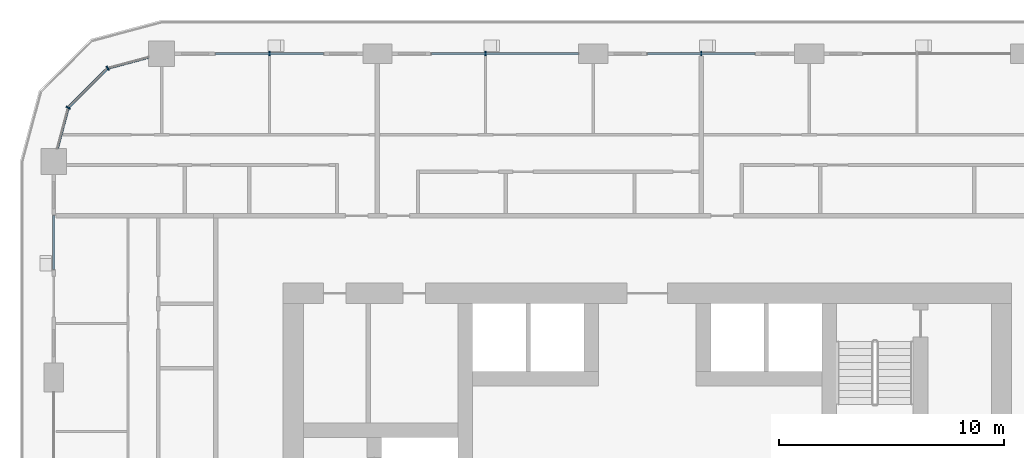
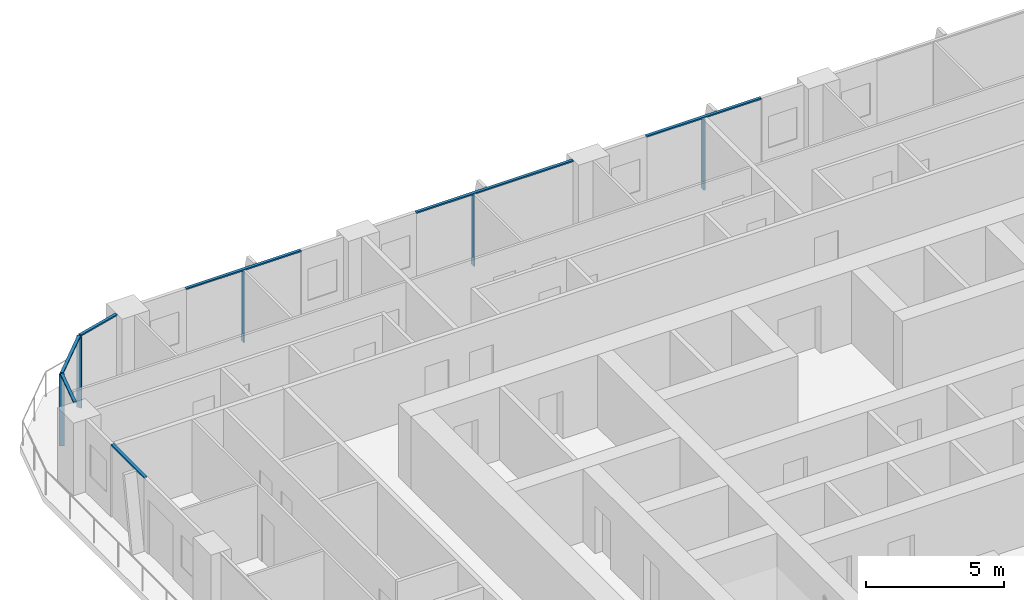
# One storey, part 5 of 22: 12 members, 5 elements without a shape of their own.
"""IFC4 building model written with IfcOpenShell, lengths in metres."""

from ifc_helpers import new_model, si_unit, direction, frame, origin, origin_2d, place, context, subcontext, project, spatial, rectangle, extrude, material, layer, layer_set, material_profile, profile_set, type_object, element, aggregate, save


model = new_model("IFC4")

# Units and contexts
model_context = context("Model", 3, precision=1e-05, world=origin(), true_north=direction((0.0, 1.0)))
body_context = subcontext(model_context, "Body", "Model", "MODEL_VIEW")
ifc_project = project(units=[si_unit("LENGTHUNIT", "METRE"), si_unit("AREAUNIT", "SQUARE_METRE"), si_unit("VOLUMEUNIT", "CUBIC_METRE"), si_unit("PLANEANGLEUNIT", "RADIAN"), si_unit("MASSUNIT", "GRAM", prefix="KILO")], contexts=[model_context])

# Site, building, storey
site_placement = place(None, origin())
site = spatial("IfcSite", under=ifc_project, at=site_placement, CompositionType="ELEMENT")
building_placement = place(site_placement, origin())
building = spatial("IfcBuilding", under=site, at=building_placement, Name="Madar Terraces", CompositionType="ELEMENT")
storey_placement = place(building_placement, frame((0.0, 0.0, 76.800048828125)))
storey = spatial("IfcBuildingStorey", under=building, at=storey_placement, Name="L19", CompositionType="ELEMENT", Elevation=76.800048828125)

# Curtain wall, member
ifc_material_1 = material(Name="Glass, ceramic frit dark grey, with black aluminium frame", Category="aluminium")
ifc_layer = layer(ifc_material_1, 0.199951171875)
ifc_layer_set = layer_set([ifc_layer], Name="Facade curtain wall, fritted glass")
curtain_wall_type = type_object("IfcCurtainWallType", Name="Facade curtain wall, fritted glass", PredefinedType="NOTDEFINED", material=ifc_layer_set)
curtain_wall_1_placement = place(storey_placement, origin())
curtain_wall_1 = element("IfcCurtainWall", 1, at=curtain_wall_1_placement, inside=storey, type_object=curtain_wall_type, Name="Outer skin curtain wall north bay 3", PredefinedType="NOTDEFINED")
ifc_material_2 = material(Name="Aluminium, black anodised", Category="aluminium")
ifc_material_profile_1 = material_profile(ifc_material_2, rectangle(XDim=0.199951171875, YDim=0.06005859375, at=origin_2d()), Name="Facade mullion 60x200")
ifc_profile_set_1 = profile_set([ifc_material_profile_1], Name="Aluminium, black anodised")
member_type_1 = type_object("IfcMemberType", Name="Facade mullion 60x200", PredefinedType="MULLION", material=ifc_profile_set_1)
member_1_placement = place(storey_placement, frame((33.60009765625, 48.0, 0.0), z_axis=(0.0, 0.0, 1.0), x_axis=(0.0, -1.0, 0.0)))
member_1 = element("IfcMember", 2, at=member_1_placement, type_object=member_type_1, Name="Mullion 1", PredefinedType="MULLION", context=body_context, shape_type="SweptSolid", body=[
    extrude(rectangle(XDim=0.199951171875, YDim=0.06005859375, at=origin_2d()), origin(), (0.0, 0.0, 1.0), 3.139892578125),
])

curtain_wall_2_placement = place(storey_placement, origin())
curtain_wall_2 = element("IfcCurtainWall", 3, at=curtain_wall_2_placement, inside=storey, type_object=curtain_wall_type, Name="Outer skin curtain wall north bay 4", PredefinedType="NOTDEFINED")
member_2_placement = place(storey_placement, frame((24.0, 48.0, 0.0), z_axis=(0.0, 0.0, 1.0), x_axis=(0.0, -1.0, 0.0)))
member_2 = element("IfcMember", 4, at=member_2_placement, type_object=member_type_1, Name="Mullion 1", PredefinedType="MULLION", context=body_context, shape_type="SweptSolid", body=[
    extrude(rectangle(XDim=0.199951171875, YDim=0.06005859375, at=origin_2d()), origin(), (0.0, 0.0, 1.0), 3.139892578125),
])

curtain_wall_3_placement = place(storey_placement, origin())
curtain_wall_3 = element("IfcCurtainWall", 5, at=curtain_wall_3_placement, inside=storey, type_object=curtain_wall_type, Name="Outer skin curtain wall north bay 5", PredefinedType="NOTDEFINED")
member_3_placement = place(storey_placement, frame((14.39990234375, 48.0, 0.0), z_axis=(0.0, 0.0, 1.0), x_axis=(0.0, -1.0, 0.0)))
member_3 = element("IfcMember", 6, at=member_3_placement, type_object=member_type_1, Name="Mullion 1", PredefinedType="MULLION", context=body_context, shape_type="SweptSolid", body=[
    extrude(rectangle(XDim=0.199951171875, YDim=0.06005859375, at=origin_2d()), origin(), (0.0, 0.0, 1.0), 3.139892578125),
])

# Curtain wall, members
curtain_wall_4_placement = place(storey_placement, origin())
curtain_wall_4 = element("IfcCurtainWall", 7, at=curtain_wall_4_placement, inside=storey, type_object=curtain_wall_type, Name="Outer skin curtain wall north-west corner", PredefinedType="NOTDEFINED")
member_4_placement = place(storey_placement, frame((7.199951171875, 47.35693359375, 0.0), z_axis=(0.0, 0.0, 1.0), x_axis=(0.499999989586, -0.866025409797, 0.0)))
member_4 = element("IfcMember", 8, at=member_4_placement, type_object=member_type_1, Name="Mullion 1", PredefinedType="MULLION", context=body_context, shape_type="SweptSolid", body=[
    extrude(rectangle(XDim=0.199951171875, YDim=0.06005859375, at=origin_2d()), origin(), (0.0, 0.0, 1.0), 3.139892578125),
])
member_5_placement = place(storey_placement, frame((5.443115234375, 45.60009765625, 0.0), z_axis=(0.0, 0.0, 1.0), x_axis=(0.866025409797, -0.499999989586, 0.0)))
member_5 = element("IfcMember", 9, at=member_5_placement, type_object=member_type_1, Name="Mullion 2", PredefinedType="MULLION", context=body_context, shape_type="SweptSolid", body=[
    extrude(rectangle(XDim=0.199951171875, YDim=0.06005859375, at=origin_2d()), origin(), (0.0, 0.0, 1.0), 3.139892578125),
])

# Member
ifc_material_3 = material(Name="Aluminium, black anodised", Category="aluminium")
ifc_material_profile_2 = material_profile(ifc_material_3, rectangle(XDim=0.1201171875, YDim=0.06005859375, at=origin_2d()), Name="Facade transom 60x120")
ifc_profile_set_2 = profile_set([ifc_material_profile_2], Name="Aluminium, black anodised")
member_type_2 = type_object("IfcMemberType", Name="Facade transom 60x120", PredefinedType="USERDEFINED", material=ifc_profile_set_2)
member_6_placement = place(storey_placement, frame((36.0, 48.0, 3.169921875), z_axis=(-1.0, 0.0, 0.0), x_axis=(0.0, -1.0, 0.0)))
member_6 = element("IfcMember", 10, at=member_6_placement, type_object=member_type_2, Name="Transom 1", ObjectType="TRANSOM", PredefinedType="USERDEFINED", context=body_context, shape_type="SweptSolid", body=[
    extrude(rectangle(XDim=0.1201171875, YDim=0.06005859375, at=origin_2d()), origin(), (0.0, 0.0, 1.0), 4.800048828125),
])

aggregate(curtain_wall_1, [member_1, member_6])

member_7_placement = place(storey_placement, frame((28.14990234375, 48.0, 3.169921875), z_axis=(-1.0, 0.0, 0.0), x_axis=(0.0, -1.0, 0.0)))
member_7 = element("IfcMember", 11, at=member_7_placement, type_object=member_type_2, Name="Transom 1", ObjectType="TRANSOM", PredefinedType="USERDEFINED", context=body_context, shape_type="SweptSolid", body=[
    extrude(rectangle(XDim=0.1201171875, YDim=0.06005859375, at=origin_2d()), origin(), (0.0, 0.0, 1.0), 6.5498046875),
])

aggregate(curtain_wall_2, [member_2, member_7])

member_8_placement = place(storey_placement, frame((16.800048828125, 48.0, 3.169921875), z_axis=(-1.0, 0.0, 0.0), x_axis=(0.0, -1.0, 0.0)))
member_8 = element("IfcMember", 12, at=member_8_placement, type_object=member_type_2, Name="Transom 1", ObjectType="TRANSOM", PredefinedType="USERDEFINED", context=body_context, shape_type="SweptSolid", body=[
    extrude(rectangle(XDim=0.1201171875, YDim=0.06005859375, at=origin_2d()), origin(), (0.0, 0.0, 1.0), 4.800048828125),
])

aggregate(curtain_wall_3, [member_3, member_8])

# Curtain wall, member
curtain_wall_5_placement = place(storey_placement, origin())
curtain_wall_5 = element("IfcCurtainWall", 13, at=curtain_wall_5_placement, inside=storey, type_object=curtain_wall_type, Name="Outer skin curtain wall west bay 1", PredefinedType="NOTDEFINED")
member_9_placement = place(storey_placement, frame((4.800048828125, 40.800048828125, 3.169921875), z_axis=(0.0, -1.0, 0.0), x_axis=(1.0, 0.0, 0.0)))
member_9 = element("IfcMember", 14, at=member_9_placement, type_object=member_type_2, Name="Transom 1", ObjectType="TRANSOM", PredefinedType="USERDEFINED", context=body_context, shape_type="SweptSolid", body=[
    extrude(rectangle(XDim=0.1201171875, YDim=0.06005859375, at=origin_2d()), origin(), (0.0, 0.0, 1.0), 2.400146484375),
])
aggregate(curtain_wall_5, [member_9])

# Member
member_10_placement = place(storey_placement, frame((9.02490234375, 47.845947265625, 3.169921875), z_axis=(-0.965926950947, -0.258814847786, 0.0), x_axis=(0.258814847786, -0.965926950947, 0.0)))
member_10 = element("IfcMember", 15, at=member_10_placement, type_object=member_type_2, Name="Transom 1", ObjectType="TRANSOM", PredefinedType="USERDEFINED", context=body_context, shape_type="SweptSolid", body=[
    extrude(rectangle(XDim=0.1201171875, YDim=0.06005859375, at=origin_2d()), origin(), (0.0, 0.0, 1.0), 1.859130859375),
])

member_11_placement = place(storey_placement, frame((7.1787109375, 47.335693359375, 3.169921875), z_axis=(-0.707056433593, -0.707157125196, 0.0), x_axis=(0.707157125196, -0.707056433593, 0.0)))
member_11 = element("IfcMember", 16, at=member_11_placement, type_object=member_type_2, Name="Transom 2", ObjectType="TRANSOM", PredefinedType="USERDEFINED", context=body_context, shape_type="SweptSolid", body=[
    extrude(rectangle(XDim=0.1201171875, YDim=0.06005859375, at=origin_2d()), origin(), (0.0, 0.0, 1.0), 2.424560546875),
])

member_12_placement = place(storey_placement, frame((5.435302734375, 45.571044921875, 3.169921875), z_axis=(-0.258782024434, -0.965935745187, 0.0), x_axis=(0.965935745187, -0.258782024434, 0.0)))
member_12 = element("IfcMember", 17, at=member_12_placement, type_object=member_type_2, Name="Transom 3", ObjectType="TRANSOM", PredefinedType="USERDEFINED", context=body_context, shape_type="SweptSolid", body=[
    extrude(rectangle(XDim=0.1201171875, YDim=0.06005859375, at=origin_2d()), origin(), (0.0, 0.0, 1.0), 1.859375),
])

aggregate(curtain_wall_4, [member_4, member_10, member_5, member_11, member_12])

save(model, "model.ifc")
